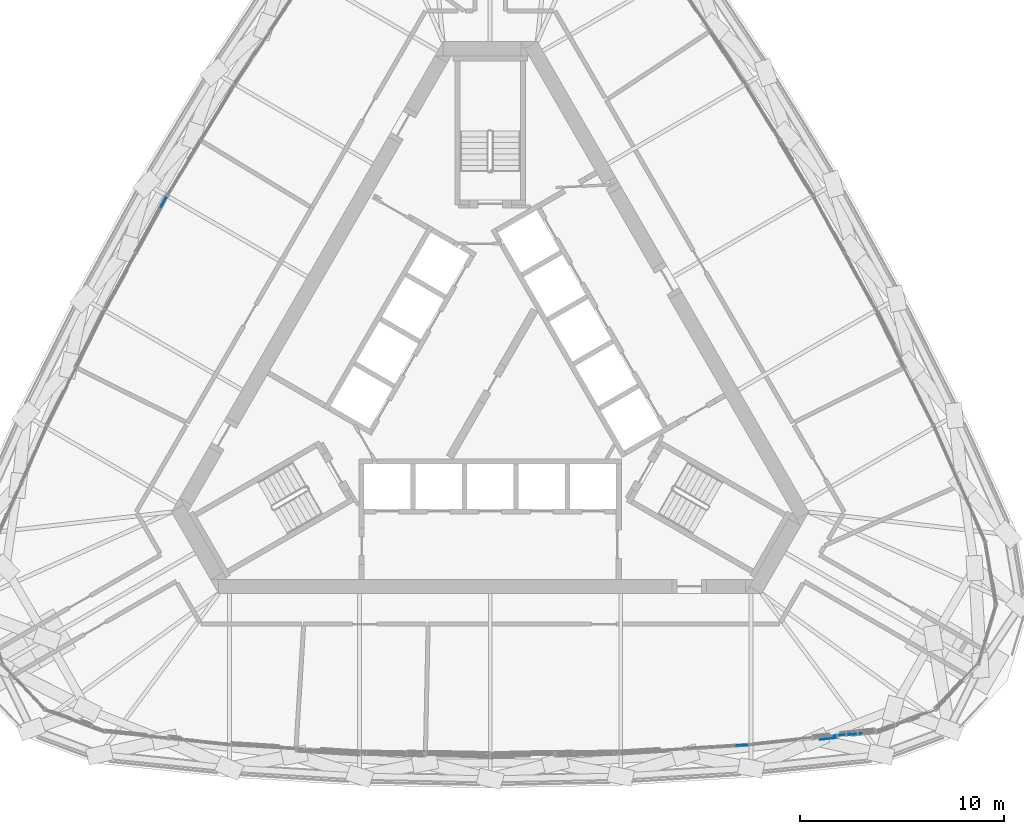
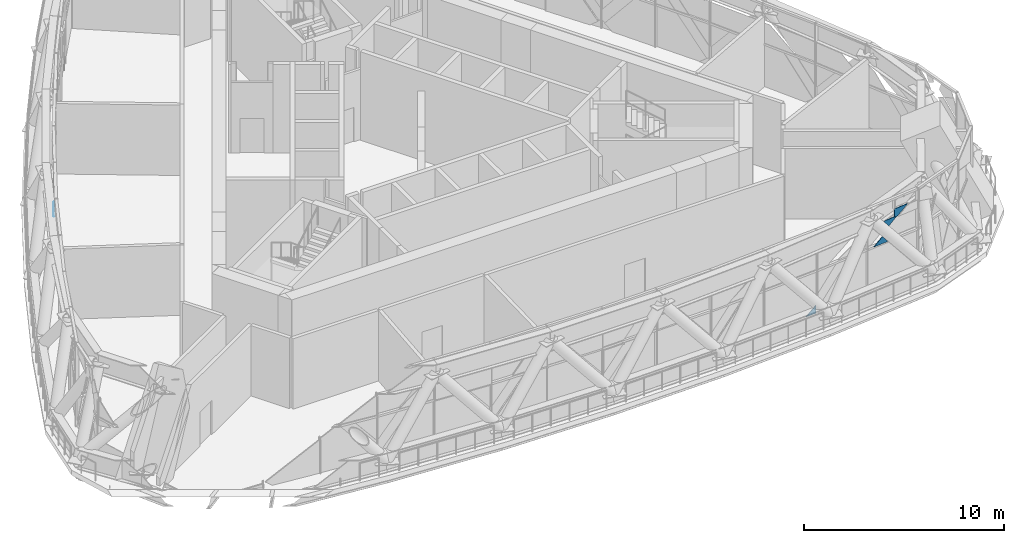
# One storey, part 17 of 33: 5 plates, 2 elements without a shape of their own.
"""IFC4 building model written with IfcOpenShell, lengths in metres."""

from ifc_helpers import new_model, si_unit, direction, frame, origin, place, context, subcontext, project, spatial, polyline, outline, extrude, material, layer, layer_set, type_object, element, aggregate, save


model = new_model("IFC4")

# Units and contexts
model_context = context("Model", 3, precision=1e-05, world=origin(), true_north=direction((0.0, 1.0)))
body_context = subcontext(model_context, "Body", "Model", "MODEL_VIEW")
ifc_project = project(units=[si_unit("LENGTHUNIT", "METRE"), si_unit("AREAUNIT", "SQUARE_METRE"), si_unit("VOLUMEUNIT", "CUBIC_METRE"), si_unit("PLANEANGLEUNIT", "RADIAN"), si_unit("MASSUNIT", "GRAM", prefix="KILO")], contexts=[model_context])

# Site, building, storey
site_placement = place(None, origin())
site = spatial("IfcSite", under=ifc_project, at=site_placement, CompositionType="ELEMENT")
building_placement = place(site_placement, origin())
building = spatial("IfcBuilding", under=site, at=building_placement, Name="Mestral Congress Tower", CompositionType="ELEMENT")
storey_placement = place(building_placement, frame((0.0, 0.0, 256.199951171875)))
storey = spatial("IfcBuildingStorey", under=building, at=storey_placement, Name="L60", CompositionType="ELEMENT", Elevation=256.199951171875)

# Curtain wall, plates
ifc_material = material(Name="Clear low-emissivity double glazing", Category="glass")
curtain_wall_type = type_object("IfcCurtainWallType", Name="Facade refuge band screen", PredefinedType="USERDEFINED", material=ifc_material)
placement = place(storey_placement, origin())
curtain_wall_1 = element("IfcCurtainWall", 1, at=placement, inside=storey, type_object=curtain_wall_type, Name="Facade refuge band screen face 1", ObjectType="CURTAIN WALL", PredefinedType="USERDEFINED")
ifc_layer = layer(ifc_material, 0.028076171875)
ifc_layer_set = layer_set([ifc_layer], Name="Clear low-emissivity double glazing")
plate_type = type_object("IfcPlateType", Name="Facade refuge band screen panel", PredefinedType="CURTAIN_PANEL", material=ifc_layer_set)
plate_1_placement = place(storey_placement, frame((12.66162109375, -17.7822265625, 0.0), z_axis=(0.06247789915, -0.998044388985, 0.001977304386), x_axis=(-0.998046340034, -0.062478021286, 0.0)))
plate_1 = element("IfcPlate", 2, at=plate_1_placement, type_object=plate_type, Name="Refuge screen glass unit", PredefinedType="CURTAIN_PANEL", context=body_context, shape_type="SweptSolid", body=[
    extrude(outline(polyline([(0.0, 0.0), (0.609589367843383, 0.0), (-6.101369266236864e-05, -0.49292088547037827), (0.0, 0.0)])), origin(), (0.0, 0.0, -1.0), 0.028076171875),
])
plate_2_placement = place(storey_placement, frame((17.015380859375, -17.4375, 2.66015625), z_axis=(0.103468276297, -0.99463052698, 0.002104898813), x_axis=(-0.994632730392, -0.103468505511, 0.0)))
plate_2 = element("IfcPlate", 3, at=plate_2_placement, type_object=plate_type, Name="Refuge screen glass unit", PredefinedType="CURTAIN_PANEL", context=body_context, shape_type="SweptSolid", body=[
    extrude(outline(polyline([(0.0, 0.0), (0.8777580390459909, 0.0), (0.3413386687628215, -0.42700289906535954), (0.0, 0.0)])), origin(), (0.0, 0.0, -1.0), 0.028076171875),
])
plate_3_placement = place(storey_placement, frame((17.66357421875, -17.246826171875, 3.887939453125), z_axis=(0.103617593206, -0.994615029292, 0.002082758996), x_axis=(-0.778038181909, -0.082359076867, -0.622794966221)))
plate_3 = element("IfcPlate", 4, at=plate_3_placement, type_object=plate_type, Name="Refuge screen glass unit", PredefinedType="CURTAIN_PANEL", context=body_context, shape_type="SweptSolid", body=[
    extrude(outline(polyline([(0.0, 0.0), (0.6699417155806059, 0.0), (0.6710068631757702, -0.5341374502600935), (0.0, 0.0)])), origin(), (0.0, 0.0, -1.0), 0.028076171875),
])
plate_4_placement = place(storey_placement, frame((17.666748046875, -17.276611328125, 3.887939453125), z_axis=(0.103703061576, -0.994606636023, 0.001820603731), x_axis=(-0.994608284242, -0.103703234838, -7.70331e-07)))
plate_4 = element("IfcPlate", 5, at=plate_4_placement, type_object=plate_type, Name="Refuge screen glass unit", PredefinedType="CURTAIN_PANEL", context=body_context, shape_type="SweptSolid", body=[
    extrude(outline(polyline([(0.0, 0.0), (0.20398966446199007, 6.776263578034403e-21), (0.2041308308942729, -0.5000009859002994), (-0.6277379965459587, -0.5000001879448813), (0.0, 0.0)])), origin(), (0.0, 0.0, -1.0), 0.028076171875),
])
aggregate(curtain_wall_1, [plate_1, plate_2, plate_3, plate_4])

# Curtain wall, plate
curtain_wall_2 = element("IfcCurtainWall", 6, at=placement, inside=storey, type_object=curtain_wall_type, Name="Facade refuge band screen face 3", ObjectType="CURTAIN WALL", PredefinedType="USERDEFINED")
plate_5_placement = place(storey_placement, frame((-15.862548828125, 9.123046875, 0.0), z_axis=(-0.876196838887, 0.481948490811, 0.002179846018), x_axis=(0.001951214869, -0.000975607435, 0.999997620473)))
plate_5 = element("IfcPlate", 7, at=plate_5_placement, type_object=plate_type, Name="Refuge screen glass unit", PredefinedType="CURTAIN_PANEL", context=body_context, shape_type="SweptSolid", body=[
    extrude(outline(polyline([(0.0, 0.0), (0.5004894721784612, 0.0), (-5.192441912704976e-05, -0.6068693612720768), (0.0, 0.0)])), origin(), (0.0, 0.0, -1.0), 0.028076171875),
])
aggregate(curtain_wall_2, [plate_5])

save(model, "model.ifc")
